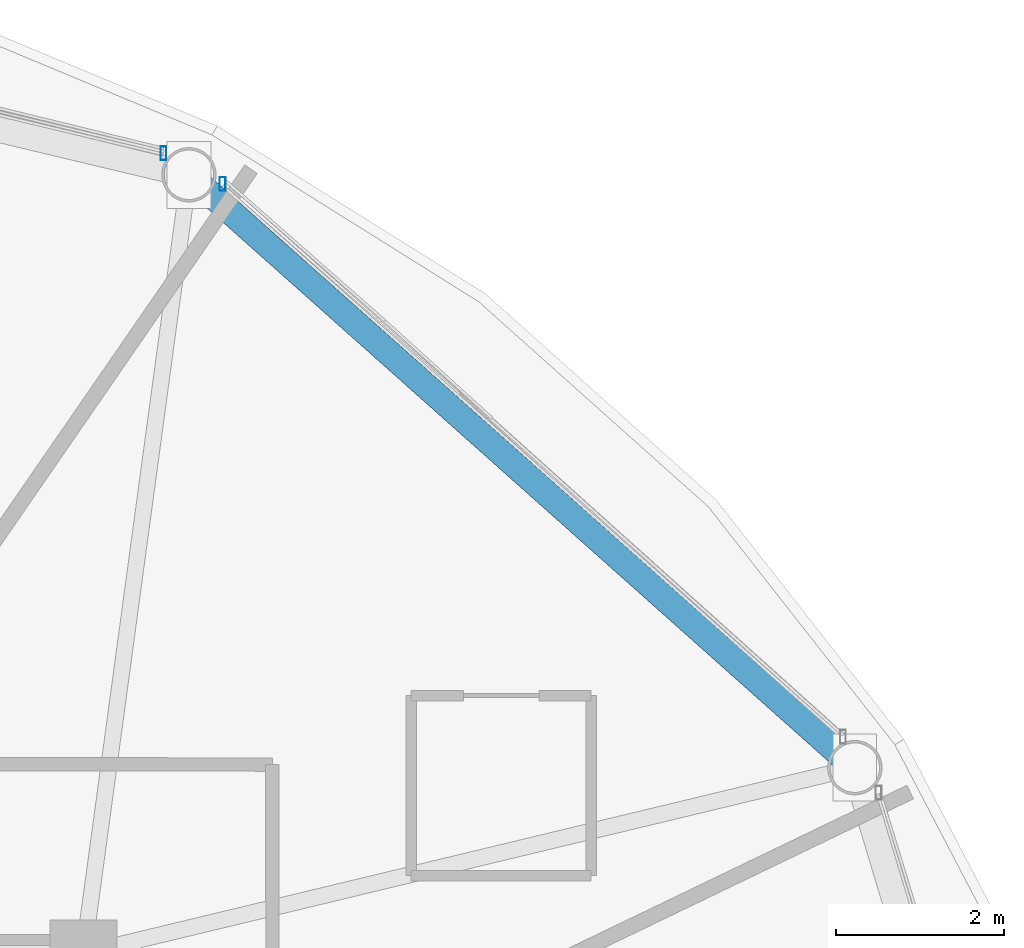
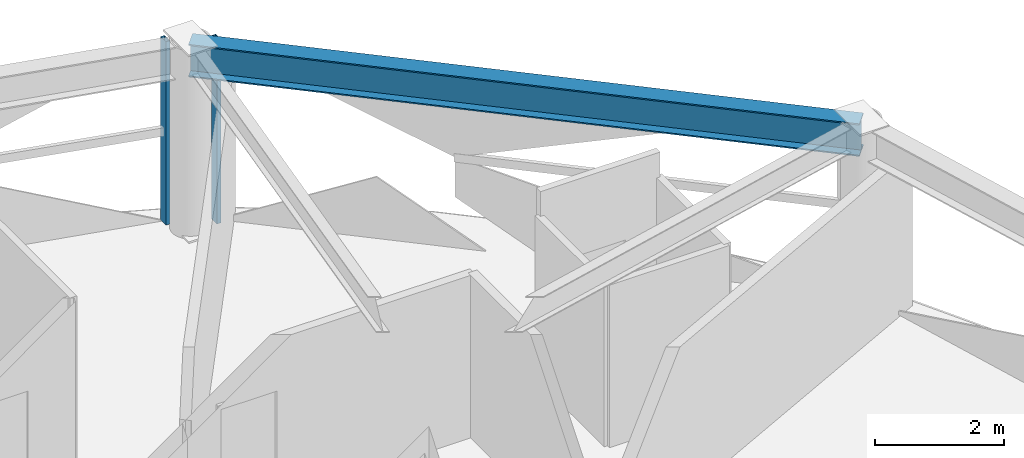
# One storey, part 19 of 28: 2 members, 1 beam, 2 elements without a shape of their own.
"""IFC4 building model written with IfcOpenShell, lengths in metres."""

from ifc_helpers import new_model, si_unit, direction, frame, origin, origin_2d, place, context, subcontext, project, spatial, hollow_rectangle, i_section, extrude, material, layer, layer_set, material_profile, profile_set, type_object, element, aggregate, save


model = new_model("IFC4")

# Units and contexts
model_context = context("Model", 3, precision=1e-05, world=origin(), true_north=direction((0.0, 1.0)))
body_context = subcontext(model_context, "Body", "Model", "MODEL_VIEW")
ifc_project = project(units=[si_unit("LENGTHUNIT", "METRE"), si_unit("AREAUNIT", "SQUARE_METRE"), si_unit("VOLUMEUNIT", "CUBIC_METRE"), si_unit("PLANEANGLEUNIT", "RADIAN"), si_unit("MASSUNIT", "GRAM", prefix="KILO")], contexts=[model_context])

# Site, building, storey
site_placement = place(None, origin())
site = spatial("IfcSite", under=ifc_project, at=site_placement, CompositionType="ELEMENT")
building_placement = place(site_placement, origin())
building = spatial("IfcBuilding", under=site, at=building_placement, Name="Vantalir Tower", CompositionType="ELEMENT")
storey_placement = place(building_placement, frame((0.0, 0.0, 238.64990234375)))
storey = spatial("IfcBuildingStorey", under=building, at=storey_placement, Name="L60", CompositionType="ELEMENT", Elevation=238.64990234375)

# Beam
ifc_material_1 = material(Name="Steel S460", Category="steel")
ifc_material_profile_1 = material_profile(ifc_material_1, i_section(OverallWidth=0.306884765625, OverallDepth=0.6201171875, WebThickness=0.01416015625, FlangeThickness=0.023681640625, at=origin_2d()), Name="Steel S460")
ifc_profile_set_1 = profile_set([ifc_material_profile_1], Name="Steel S460")
beam_type = type_object("IfcBeamType", Name="BM-RG-610x305", PredefinedType="USERDEFINED", material=ifc_profile_set_1)
beam_placement = place(storey_placement, frame((50.30810546875, 34.666015625, 3.260009765625), z_axis=(-0.746899058065, 0.664937438456, 0.0), x_axis=(-0.664937438456, -0.746899058065, 0.0)))
element("IfcBeam", 1, at=beam_placement, inside=storey, type_object=beam_type, Name="L60 Circumferential Ring Girder 02", ObjectType="GIRDER", PredefinedType="USERDEFINED", context=body_context, shape_type="SweptSolid", body=[
    extrude(i_section(OverallWidth=0.306884765625, OverallDepth=0.6201171875, WebThickness=0.01416015625, FlangeThickness=0.023681640625, at=origin_2d()), origin(), (0.0, 0.0, 1.0), 10.64306640625),
])

# Curtain wall, member
ifc_material_2 = material(Name="Champagne-silver PVDF aluminium and double-silver Low-E glass", Category="aluminium")
ifc_layer = layer(ifc_material_2, 0.2099609375)
ifc_layer_set = layer_set([ifc_layer], Name="Champagne-silver PVDF aluminium and double-silver Low-E glass")
curtain_wall_type = type_object("IfcCurtainWallType", Name="CW-DIAMOND-Z3", PredefinedType="USERDEFINED", material=ifc_layer_set)
curtain_wall_1_placement = place(storey_placement, origin())
curtain_wall_1 = element("IfcCurtainWall", 2, at=curtain_wall_1_placement, inside=storey, type_object=curtain_wall_type, Name="L60 Quilted Pyramid-Diamond Curtain Wall S02", ObjectType="UNITISED CURTAIN WALL", PredefinedType="USERDEFINED")
ifc_material_3 = material(Name="Champagne-silver PVDF aluminium 6063-T6", Category="aluminium")
ifc_material_profile_2 = material_profile(ifc_material_3, hollow_rectangle(XDim=0.070068359375, YDim=0.1650390625, WallThickness=0.00390625, at=origin_2d()), Name="Champagne-silver PVDF aluminium 6063-T6")
ifc_profile_set_2 = profile_set([ifc_material_profile_2], Name="Champagne-silver PVDF aluminium 6063-T6")
member_type = type_object("IfcMemberType", Name="CWM-165x70", PredefinedType="MULLION", material=ifc_profile_set_2)
member_1_placement = place(storey_placement, frame((42.760009765625, 41.634033203125, 0.045166015625), z_axis=(0.0, 0.0, 1.0), x_axis=(1.0, 0.0, 0.0)))
member_1 = element("IfcMember", 3, at=member_1_placement, type_object=member_type, Name="CW-L60-S02 Mullion 2", PredefinedType="MULLION", context=body_context, shape_type="SweptSolid", body=[
    extrude(hollow_rectangle(XDim=0.070068359375, YDim=0.1650390625, WallThickness=0.00390625, at=origin_2d()), origin(), (0.0, 0.0, 1.0), 3.47998046875),
])
aggregate(curtain_wall_1, [member_1])

curtain_wall_2_placement = place(storey_placement, origin())
curtain_wall_2 = element("IfcCurtainWall", 4, at=curtain_wall_2_placement, inside=storey, type_object=curtain_wall_type, Name="L60 Quilted Pyramid-Diamond Curtain Wall S03", ObjectType="UNITISED CURTAIN WALL", PredefinedType="USERDEFINED")
member_2_placement = place(storey_placement, frame((42.054931640625, 42.001953125, 0.045166015625), z_axis=(0.0, 0.0, 1.0), x_axis=(1.0, 0.0, 0.0)))
member_2 = element("IfcMember", 5, at=member_2_placement, type_object=member_type, Name="CW-L60-S03 Mullion 1", PredefinedType="MULLION", context=body_context, shape_type="SweptSolid", body=[
    extrude(hollow_rectangle(XDim=0.070068359375, YDim=0.1650390625, WallThickness=0.00390625, at=origin_2d()), origin(), (0.0, 0.0, 1.0), 3.47998046875),
])
aggregate(curtain_wall_2, [member_2])

save(model, "model.ifc")
